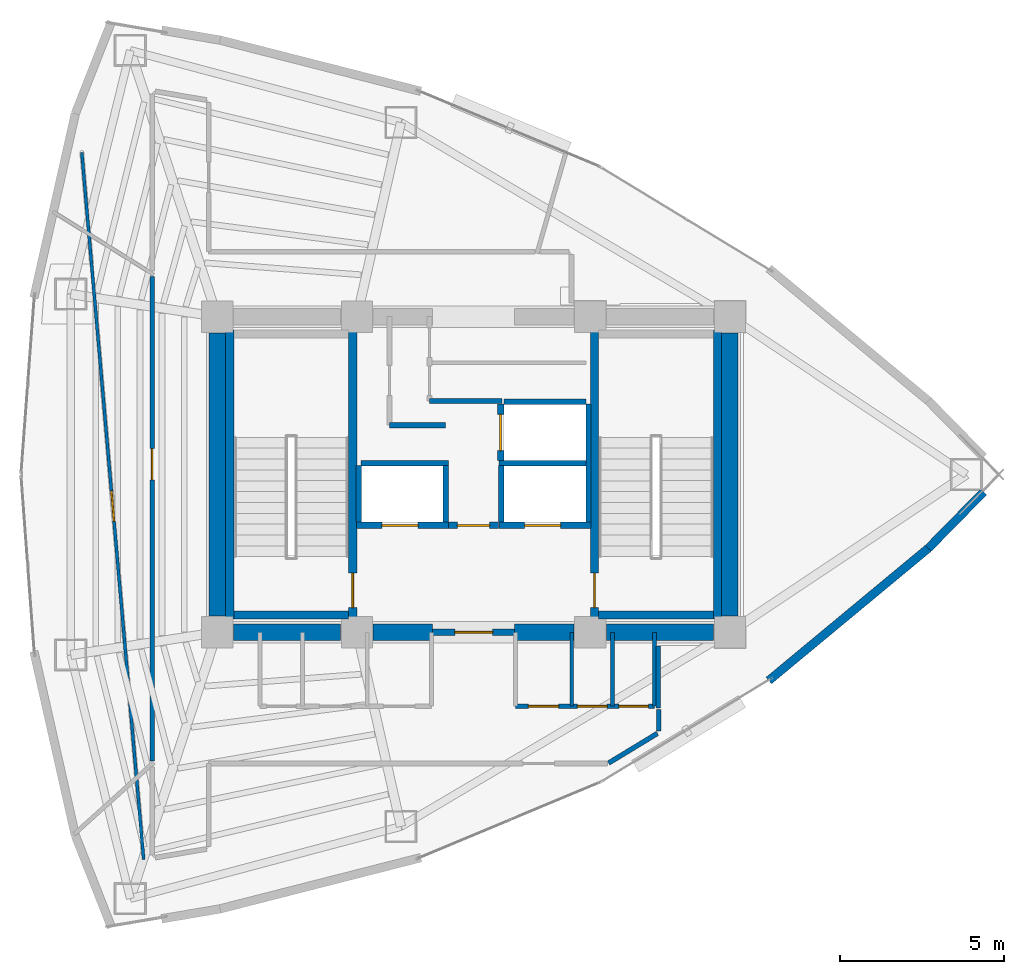
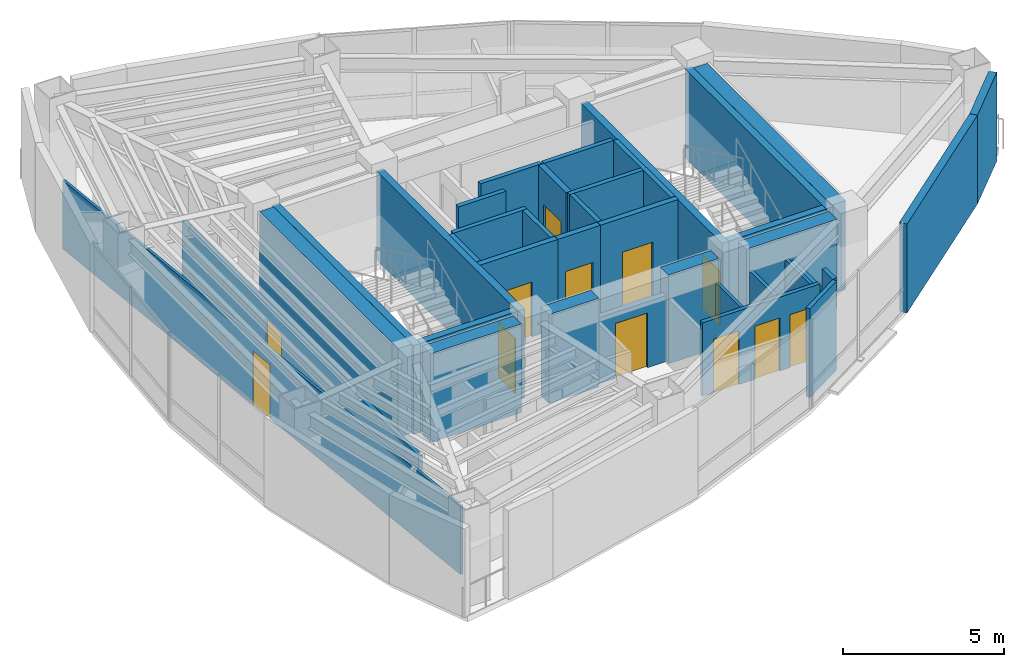
# One storey, part 12 of 16: 37 walls, 12 doors, 12 openings.
"""IFC4 building model written with IfcOpenShell, lengths in metres."""

import ifcopenshell
import ifcopenshell.guid

model = None  # the IFC model being written
_history = None  # IfcOwnerHistory: only IFC2X3 demands one
_inside = {}  # id of a spatial element -> (the spatial element, [elements in it])
_under = {}  # id of a project, library or spatial element -> (it, [spatial elements below it])
_declared = {}  # id of a project -> (the project, [libraries it declares])
_typed = {}  # id of a type object -> (the type object, [elements of that type])
_made_of = {}  # id of a material, layer set ... -> (it, [elements and type objects made of it])


def new_model(schema):
    """Start an empty IFC model of exactly this schema.

    Asked for "IFC4X3", IfcOpenShell would pick the latest addendum, in which some entities
    have other attributes; the version numbers below select the first issue.
    IFC2X3 requires an IfcOwnerHistory on every rooted entity: one is made here for all.
    """
    global model, _history
    if schema == "IFC4X3":
        model = ifcopenshell.file(schema_version=(4, 3, 0, 0))
    else:
        model = ifcopenshell.file(schema=schema)
    _inside.clear()
    _under.clear()
    _declared.clear()
    _typed.clear()
    _made_of.clear()
    _history = None
    if model.schema == "IFC2X3":
        org = make("IfcOrganization", Name="unknown")
        user = make(
            "IfcPersonAndOrganization",
            ThePerson=make("IfcPerson", FamilyName="unknown"),
            TheOrganization=org,
        )
        app = make(
            "IfcApplication",
            ApplicationDeveloper=org,
            Version="unknown",
            ApplicationFullName="unknown",
            ApplicationIdentifier="unknown",
        )
        _history = make(
            "IfcOwnerHistory",
            OwningUser=user,
            OwningApplication=app,
            ChangeAction="ADDED",
            CreationDate=0,
        )
    return model


def make(cls, **values):
    """One entity of the class cls with the attributes given. An attribute that is None is left unset."""
    return model.create_entity(
        cls, **{name: value for name, value in values.items() if value is not None}
    )


def rooted(cls, **values):
    """An entity with a GlobalId (a new one), such as an element, a storey or a relation."""
    return make(cls, GlobalId=ifcopenshell.guid.new(), OwnerHistory=_history, **values)


def si_unit(unit_type, name, prefix=None):
    """IfcSIUnit, for example si_unit("LENGTHUNIT", "METRE", prefix="MILLI")."""
    return make("IfcSIUnit", UnitType=unit_type, Prefix=prefix, Name=name)


def assignment(units):
    """IfcUnitAssignment: the units of a project."""
    return None if units is None else make("IfcUnitAssignment", Units=units)


def point(xyz):
    """IfcCartesianPoint."""
    return None if xyz is None else make("IfcCartesianPoint", Coordinates=xyz)


def direction(xyz):
    """IfcDirection."""
    return None if xyz is None else make("IfcDirection", DirectionRatios=xyz)


def frame(location, z_axis=None, x_axis=None):
    """IfcAxis2Placement3D, a coordinate frame: its origin and axes. An axis left out is left unset."""
    return make(
        "IfcAxis2Placement3D",
        Location=point(location),
        Axis=direction(z_axis),
        RefDirection=direction(x_axis),
    )


def frame_2d(location, x_axis=None):
    """IfcAxis2Placement2D, a coordinate frame in the plane: its origin and x axis."""
    return make(
        "IfcAxis2Placement2D", Location=point(location), RefDirection=direction(x_axis)
    )


def origin():
    """The frame at (0, 0, 0) with its axes left unset."""
    return frame((0.0, 0.0, 0.0))


def place(relative_to, where):
    """IfcLocalPlacement: puts the frame where relative to a parent placement (None: the world)."""
    return make(
        "IfcLocalPlacement", PlacementRelTo=relative_to, RelativePlacement=where
    )


def context(
    kind, dimensions, precision=None, world=None, true_north=None, identifier=None
):
    """IfcGeometricRepresentationContext, for example the 3D "Model" context."""
    return make(
        "IfcGeometricRepresentationContext",
        ContextIdentifier=identifier,
        ContextType=kind,
        CoordinateSpaceDimension=dimensions,
        Precision=precision,
        WorldCoordinateSystem=world,
        TrueNorth=true_north,
    )


def subcontext(parent, identifier, kind, view, scale=None):
    """IfcGeometricRepresentationSubContext, for example "Body" below "Model"."""
    return make(
        "IfcGeometricRepresentationSubContext",
        ContextIdentifier=identifier,
        ContextType=kind,
        ParentContext=parent,
        TargetScale=scale,
        TargetView=view,
    )


def project(units=None, contexts=None):
    """IfcProject with its units and contexts."""
    return rooted(
        "IfcProject",
        Name="project",
        RepresentationContexts=contexts,
        UnitsInContext=assignment(units),
    )


def spatial(cls, under=None, at=None, **own):
    """A site, building, storey or space (cls), placed at a placement, below another one or the project."""
    s = rooted(cls, ObjectPlacement=at, **own)
    if under is not None:
        _under.setdefault(under.id(), (under, []))[1].append(s)
    return s


def profile(cls, at=None, kind="AREA", **sizes):
    """A parametric profile (cls). Its sizes go by their IFC names, for example OverallWidth=200.0."""
    return make(cls, ProfileType=kind, Position=at, **sizes)


def rectangle(**sizes):
    """IfcRectangleProfileDef."""
    return profile("IfcRectangleProfileDef", **sizes)


def extrude(swept, where, along, depth):
    """IfcExtrudedAreaSolid: the profile swept, set in the frame where, extruded along a direction by depth."""
    return make(
        "IfcExtrudedAreaSolid",
        SweptArea=swept,
        Position=where,
        ExtrudedDirection=direction(along),
        Depth=depth,
    )


def shape(context_of_items, identifier, shape_type, items):
    """IfcShapeRepresentation: the items that make up one representation, for example the "Body"."""
    return make(
        "IfcShapeRepresentation",
        ContextOfItems=context_of_items,
        RepresentationIdentifier=identifier,
        RepresentationType=shape_type,
        Items=items,
    )


def material(Name=None, Category=None):
    """IfcMaterial."""
    return make("IfcMaterial", Name=Name, Category=Category)


def layer(
    of_material, thickness, ventilated=None, Name=None, Category=None, Priority=None
):
    """IfcMaterialLayer: one layer of a wall or slab, of a material (None: an air gap)."""
    return make(
        "IfcMaterialLayer",
        Material=of_material,
        LayerThickness=thickness,
        IsVentilated=ventilated,
        Name=Name,
        Category=Category,
        Priority=Priority,
    )


def layer_set(layers, Name=None):
    """IfcMaterialLayerSet."""
    return make("IfcMaterialLayerSet", MaterialLayers=layers, LayerSetName=Name)


def made_of(thing, what):
    """Note that an element or type object is made of a material, layer set ...; save() writes the relation."""
    if what is not None:
        _made_of.setdefault(what.id(), (what, []))[1].append(thing)
    return thing


def type_object(cls, material=None, **own):
    """A type object (cls), such as IfcWallType, which elements share."""
    return made_of(rooted(cls, **own), material)


def element(
    cls,
    number,
    at=None,
    inside=None,
    cuts=None,
    type_object=None,
    material=None,
    context=None,
    identifier="Body",
    shape_type=None,
    held_by="IfcProductDefinitionShape",
    body=None,
    shapes=None,
    **own,
):
    """One element of the class cls, such as IfcWall. Its Tag is "e" and its number.

    at: its placement. inside: the storey or other place that contains it. cuts: it is an
    opening in that element (IfcRelVoidsElement). A single representation is given by context,
    identifier, shape_type and body (its items); several are given by shapes. held_by: the class
    of the entity that holds the representations. save() writes the other relations.
    """
    e = rooted(cls, Tag="e%d" % number, ObjectPlacement=at, **own)
    if body is not None:
        shapes = [shape(context, identifier, shape_type, body)]
    if shapes is not None:
        e.Representation = make(held_by, Representations=shapes)
    if inside is not None:
        _inside.setdefault(inside.id(), (inside, []))[1].append(e)
    if cuts is not None:
        rooted(
            "IfcRelVoidsElement", RelatingBuildingElement=cuts, RelatedOpeningElement=e
        )
    if type_object is not None:
        _typed.setdefault(type_object.id(), (type_object, []))[1].append(e)
    return made_of(e, material)


def fill(opening, filler):
    """IfcRelFillsElement: the door or window that sits in an opening."""
    return rooted(
        "IfcRelFillsElement",
        RelatingOpeningElement=opening,
        RelatedBuildingElement=filler,
    )


def aggregate(whole, parts):
    """IfcRelAggregates: a whole, such as a stair, and the parts it consists of."""
    return rooted("IfcRelAggregates", RelatingObject=whole, RelatedObjects=parts)


def save(model, path):
    """Write the relations noted so far, then the file.

    IfcRelAggregates (storeys below a building ...), IfcRelContainedInSpatialStructure (elements
    in a storey), IfcRelDefinesByType, IfcRelAssociatesMaterial and IfcRelDeclares: one each for
    every whole, place, type object, material and project.
    """
    for whole, parts in _under.values():
        aggregate(whole, parts)
    for where, things in _inside.values():
        rooted(
            "IfcRelContainedInSpatialStructure",
            RelatedElements=things,
            RelatingStructure=where,
        )
    for kind, things in _typed.values():
        rooted("IfcRelDefinesByType", RelatedObjects=things, RelatingType=kind)
    for what, things in _made_of.values():
        rooted("IfcRelAssociatesMaterial", RelatedObjects=things, RelatingMaterial=what)
    for by, libraries in _declared.values():
        rooted("IfcRelDeclares", RelatingContext=by, RelatedDefinitions=libraries)
    model.write(path)


model = new_model("IFC4")

# Units and contexts
model_context = context("Model", 3, precision=1e-05, world=origin(), true_north=direction((0.0, 1.0)))
body_context = subcontext(model_context, "Body", "Model", "MODEL_VIEW")
ifc_project = project(units=[si_unit("LENGTHUNIT", "METRE"), si_unit("AREAUNIT", "SQUARE_METRE"), si_unit("VOLUMEUNIT", "CUBIC_METRE"), si_unit("PLANEANGLEUNIT", "RADIAN"), si_unit("MASSUNIT", "GRAM", prefix="KILO")], contexts=[model_context])

# Site, building, storey
site_placement = place(None, origin())
site = spatial("IfcSite", under=ifc_project, at=site_placement, CompositionType="ELEMENT")
building_placement = place(site_placement, origin())
building = spatial("IfcBuilding", under=site, at=building_placement, Name="Menara Vayukalpa", CompositionType="ELEMENT")
storey_placement = place(building_placement, frame((0.0, 0.0, 210.1201171875)))
storey = spatial("IfcBuildingStorey", under=building, at=storey_placement, Name="L53", CompositionType="ELEMENT", Elevation=210.1201171875)

# Walls
ifc_material_1 = material(Name="Concrete C60/75", Category="concrete")
ifc_layer_1 = layer(ifc_material_1, 0.5)
ifc_layer_set_1 = layer_set([ifc_layer_1], Name="Concrete C60/75")
wall_type_1 = type_object("IfcWallType", Name="WAL-CW500", PredefinedType="SHEAR", material=ifc_layer_set_1)
wall_1_placement = place(storey_placement, frame((18.294921875, 17.199951171875, 0.0), z_axis=(0.0, 0.0, 1.0), x_axis=(1.0, 0.0, 0.0)))
element("IfcWall", 1, at=wall_1_placement, inside=storey, type_object=wall_type_1, Name="L53 Buttressed Core Shear Wall CWS1", PredefinedType="SHEAR", context=body_context, shape_type="SweptSolid", body=[
    extrude(rectangle(XDim=3.260009765625, YDim=0.5, at=frame_2d((1.6298828125, 0.0))), origin(), (0.0, 0.0, 1.0), 3.3798828125),
])
wall_2_placement = place(storey_placement, frame((22.544921875, 17.199951171875, 0.0), z_axis=(0.0, 0.0, 1.0), x_axis=(1.0, 0.0, 0.0)))
element("IfcWall", 2, at=wall_2_placement, inside=storey, type_object=wall_type_1, Name="L53 Buttressed Core Shear Wall CWS2", PredefinedType="SHEAR", context=body_context, shape_type="SweptSolid", body=[
    extrude(rectangle(XDim=1.80517578125, YDim=0.5, at=frame_2d((0.902587890625, 0.0))), origin(), (0.0, 0.0, 1.0), 3.3798828125),
])
wall_3_placement = place(storey_placement, frame((26.85009765625, 17.199951171875, 0.0), z_axis=(0.0, 0.0, 1.0), x_axis=(1.0, 0.0, 0.0)))
element("IfcWall", 3, at=wall_3_placement, inside=storey, type_object=wall_type_1, Name="L53 Buttressed Core Shear Wall CWS3", PredefinedType="SHEAR", context=body_context, shape_type="SweptSolid", body=[
    extrude(rectangle(XDim=1.804931640625, YDim=0.5, at=frame_2d((0.90234375, 0.0))), origin(), (0.0, 0.0, 1.0), 3.3798828125),
])
wall_4_placement = place(storey_placement, frame((29.64501953125, 17.199951171875, 0.0), z_axis=(0.0, 0.0, 1.0), x_axis=(1.0, 0.0, 0.0)))
element("IfcWall", 4, at=wall_4_placement, inside=storey, type_object=wall_type_1, Name="L53 Buttressed Core Shear Wall CWS4", PredefinedType="SHEAR", context=body_context, shape_type="SweptSolid", body=[
    extrude(rectangle(XDim=3.260009765625, YDim=0.5, at=frame_2d((1.6298828125, 0.0))), origin(), (0.0, 0.0, 1.0), 3.3798828125),
])
for number, where, z_axis, x_axis, name in (
    (5, (17.800048828125, 17.695068359375, 0.0), (0.0, 0.0, 1.0), (0.0, 1.0, 0.0), "L53 Buttressed Core Shear Wall CWW1"),
    (6, (33.39990234375, 17.695068359375, 0.0), (0.0, 0.0, 1.0), (0.0, 1.0, 0.0), "L53 Buttressed Core Shear Wall CWE1"),
):
    element("IfcWall", number, at=place(storey_placement, frame(where, z_axis=z_axis, x_axis=x_axis)), inside=storey, type_object=wall_type_1, Name=name, PredefinedType="SHEAR", context=body_context, shape_type="SweptSolid", body=[
        extrude(rectangle(XDim=8.60986328125, YDim=0.5, at=frame_2d((4.304931640625, 0.0))), origin(), (0.0, 0.0, 1.0), 3.3798828125),
    ])
ifc_material_2 = material(Name="Insulated Precast Concrete C40/50", Category="concrete")
ifc_layer_2 = layer(ifc_material_2, 0.260009765625)
ifc_layer_set_2 = layer_set([ifc_layer_2], Name="Insulated Precast Concrete C40/50")
wall_type_2 = type_object("IfcWallType", Name="WAL-EXT260", PredefinedType="PARTITIONING", material=ifc_layer_set_2)
wall_5_placement = place(storey_placement, frame((41.11669921875, 21.466552734375, 0.0), z_axis=(0.0, 0.0, 1.0), x_axis=(-0.700567481584, -0.7135861572, 0.0)))
element("IfcWall", 7, at=wall_5_placement, inside=storey, type_object=wall_type_2, Name="L53 Perimeter Terracotta Pier Wall 01", PredefinedType="PARTITIONING", context=body_context, shape_type="SweptSolid", body=[
    extrude(rectangle(XDim=2.400390625, YDim=0.260009765625, at=frame_2d((1.2001953125, 0.0))), origin(), (0.0, 0.0, 1.0), 3.3798828125),
])
wall_6_placement = place(storey_placement, frame((39.44384765625, 19.76171875, 0.0), z_axis=(0.0, 0.0, 1.0), x_axis=(-0.769765373155, -0.638326930571, 0.0)))
element("IfcWall", 8, at=wall_6_placement, inside=storey, type_object=wall_type_2, Name="L53 Perimeter Terracotta Pier Wall 18", PredefinedType="PARTITIONING", context=body_context, shape_type="SweptSolid", body=[
    extrude(rectangle(XDim=6.3154296875, YDim=0.260009765625, at=frame_2d((3.15771484375, 0.0))), origin(), (0.0, 0.0, 1.0), 3.3798828125),
])
ifc_material_3 = material(Name="Lightweight Concrete Blockwork C16/20", Category="masonry")
ifc_layer_3 = layer(ifc_material_3, 0.159912109375)
ifc_layer_set_3 = layer_set([ifc_layer_3], Name="Lightweight Concrete Blockwork C16/20")
wall_type_3 = type_object("IfcWallType", Name="WAL-FR150", PredefinedType="PARTITIONING", material=ifc_layer_set_3)
for number, where, z_axis, x_axis, name in (
    (9, (22.10498046875, 20.56005859375, 0.0), (0.0, 0.0, 1.0), (0.0, 1.0, 0.0), "L53 Interior Partition IW-L53-SHW-WW"),
    (10, (24.7548828125, 20.56005859375, 0.0), (0.0, 0.0, 1.0), (0.0, 1.0, 0.0), "L53 Interior Partition IW-L53-SHW-W1E"),
):
    element("IfcWall", number, at=place(storey_placement, frame(where, z_axis=z_axis, x_axis=x_axis)), inside=storey, type_object=wall_type_3, Name=name, PredefinedType="PARTITIONING", context=body_context, shape_type="SweptSolid", body=[
        extrude(rectangle(XDim=1.7099609375, YDim=0.159912109375, at=frame_2d((0.85498046875, 0.0))), origin(), (0.0, 0.0, 1.0), 3.3798828125),
    ])
wall_7_placement = place(storey_placement, frame((22.179931640625, 22.344970703125, 0.0), z_axis=(0.0, 0.0, 1.0), x_axis=(1.0, 0.0, 0.0)))
element("IfcWall", 11, at=wall_7_placement, inside=storey, type_object=wall_type_3, Name="L53 Interior Partition IW-L53-SHM-W12", PredefinedType="PARTITIONING", context=body_context, shape_type="SweptSolid", body=[
    extrude(rectangle(XDim=2.650146484375, YDim=0.159912109375, at=frame_2d((1.3251953125, 0.0))), origin(), (0.0, 0.0, 1.0), 3.3798828125),
])
wall_8_placement = place(storey_placement, frame((29.094970703125, 20.56005859375, 0.0), z_axis=(0.0, 0.0, 1.0), x_axis=(0.0, 1.0, 0.0)))
element("IfcWall", 12, at=wall_8_placement, inside=storey, type_object=wall_type_3, Name="L53 Interior Partition IW-L53-SHW-EE", PredefinedType="PARTITIONING", context=body_context, shape_type="SweptSolid", body=[
    extrude(rectangle(XDim=3.579833984375, YDim=0.159912109375, at=frame_2d((1.7900390625, 0.0))), origin(), (0.0, 0.0, 1.0), 3.3798828125),
])
wall_9_placement = place(storey_placement, frame((26.445068359375, 20.56005859375, 0.0), z_axis=(0.0, 0.0, 1.0), x_axis=(0.0, 1.0, 0.0)))
element("IfcWall", 13, at=wall_9_placement, inside=storey, type_object=wall_type_3, Name="L53 Interior Partition IW-L53-SHW-E1W", PredefinedType="PARTITIONING", context=body_context, shape_type="SweptSolid", body=[
    extrude(rectangle(XDim=1.7099609375, YDim=0.159912109375, at=frame_2d((0.85498046875, 0.0))), origin(), (0.0, 0.0, 1.0), 3.3798828125),
])
wall_10_placement = place(storey_placement, frame((26.3701171875, 22.344970703125, 0.0), z_axis=(0.0, 0.0, 1.0), x_axis=(1.0, 0.0, 0.0)))
element("IfcWall", 14, at=wall_10_placement, inside=storey, type_object=wall_type_3, Name="L53 Interior Partition IW-L53-SHM-E13", PredefinedType="PARTITIONING", context=body_context, shape_type="SweptSolid", body=[
    extrude(rectangle(XDim=2.64990234375, YDim=0.159912109375, at=frame_2d((1.324951171875, 0.0))), origin(), (0.0, 0.0, 1.0), 3.3798828125),
])
wall_11_placement = place(storey_placement, frame((26.530029296875, 24.215087890625, 0.0), z_axis=(0.0, 0.0, 1.0), x_axis=(1.0, 0.0, 0.0)))
element("IfcWall", 15, at=wall_11_placement, inside=storey, type_object=wall_type_3, Name="L53 Interior Partition IW-L53-SHM-E32", PredefinedType="PARTITIONING", context=body_context, shape_type="SweptSolid", body=[
    extrude(rectangle(XDim=2.489990234375, YDim=0.159912109375, at=frame_2d((1.2451171875, 0.0))), origin(), (0.0, 0.0, 1.0), 3.3798828125),
])
wall_12_placement = place(storey_placement, frame((23.0400390625, 23.5, 0.0), z_axis=(0.0, 0.0, 1.0), x_axis=(1.0, 0.0, 0.0)))
element("IfcWall", 16, at=wall_12_placement, inside=storey, type_object=wall_type_3, Name="L53 Interior Partition IW-L53-LV7WA", PredefinedType="PARTITIONING", context=body_context, shape_type="SweptSolid", body=[
    extrude(rectangle(XDim=1.699951171875, YDim=0.159912109375, at=frame_2d((0.85009765625, 0.0))), origin(), (0.0, 0.0, 1.0), 3.3798828125),
])
wall_13_placement = place(storey_placement, frame((24.260009765625, 24.239990234375, 0.0), z_axis=(0.0, 0.0, 1.0), x_axis=(1.0, 0.0, 0.0)))
element("IfcWall", 17, at=wall_13_placement, inside=storey, type_object=wall_type_3, Name="L53 Interior Partition IW-L53-LV7EA", PredefinedType="PARTITIONING", context=body_context, shape_type="SweptSolid", body=[
    extrude(rectangle(XDim=2.199951171875, YDim=0.159912109375, at=frame_2d((1.10009765625, 0.0))), origin(), (0.0, 0.0, 1.0), 3.3798828125),
])

# Wall, opening, door
ifc_material_4 = material(Name="Lightweight Concrete Blockwork C16/20", Category="masonry")
ifc_layer_4 = layer(ifc_material_4, 0.199951171875)
ifc_layer_set_4 = layer_set([ifc_layer_4], Name="Lightweight Concrete Blockwork C16/20")
wall_type_4 = type_object("IfcWallType", Name="WAL-FR200", PredefinedType="PARTITIONING", material=ifc_layer_set_4)
wall_14_placement = place(storey_placement, frame((24.35009765625, 17.199951171875, 0.0), z_axis=(0.0, 0.0, 1.0), x_axis=(1.0, 0.0, 0.0)))
wall_14 = element("IfcWall", 18, at=wall_14_placement, inside=storey, type_object=wall_type_4, Name="L53 Interior Partition IW-L53-FFLS", PredefinedType="PARTITIONING", context=body_context, shape_type="SweptSolid", body=[
    extrude(rectangle(XDim=2.5, YDim=0.199951171875, at=frame_2d((1.25, 0.0))), origin(), (0.0, 0.0, 1.0), 2.509765625),
])
opening_1_placement = place(wall_14_placement, frame((0.679931640625, 0.0, 0.0)))
opening_1 = element("IfcOpeningElement", 19, at=opening_1_placement, cuts=wall_14, Name="Opening ID2", PredefinedType="OPENING", context=body_context, shape_type="SweptSolid", body=[
    extrude(rectangle(XDim=1.14990234375, YDim=2.080078125, at=frame_2d((0.574951171875, 1.0400390625))), frame((0.0, 0.10986328125, 0.0), z_axis=(0.0, -1.0, 0.0), x_axis=(1.0, 0.0, 0.0)), (0.0, 0.0, 1.0), 0.219970703125),
])
ifc_material_5 = material(Name="Fire-Rated Powder-Coated Steel Door", Category="steel")
door_type_1 = type_object("IfcDoorType", Name="DR-FD60W", OperationType="NOTDEFINED", PredefinedType="DOOR", material=ifc_material_5)
door_1_placement = place(opening_1_placement, origin())
door_1 = element("IfcDoor", 20, at=door_1_placement, inside=storey, type_object=door_type_1, Name="L53 Interior Door DR-L53-FFLS", OperationType="SINGLE_SWING_RIGHT", OverallHeight=2.080078125, OverallWidth=1.14990234375, PredefinedType="DOOR", context=body_context, shape_type="SweptSolid", body=[
    extrude(rectangle(XDim=1.14990234375, YDim=2.080078125, at=frame_2d((0.574951171875, 1.0400390625))), frame((0.0, 0.02490234375, 0.0), z_axis=(0.0, -1.0, 0.0), x_axis=(1.0, 0.0, 0.0)), (0.0, 0.0, 1.0), 0.050048828125),
])
fill(opening_1, door_1)

wall_15_placement = place(storey_placement, frame((24.840087890625, 20.449951171875, 0.0), z_axis=(0.0, 0.0, 1.0), x_axis=(1.0, 0.0, 0.0)))
wall_15 = element("IfcWall", 21, at=wall_15_placement, inside=storey, type_object=wall_type_4, Name="L53 Interior Partition IW-L53-FFLN", PredefinedType="PARTITIONING", context=body_context, shape_type="SweptSolid", body=[
    extrude(rectangle(XDim=1.52001953125, YDim=0.199951171875, at=frame_2d((0.760009765625, 0.0))), origin(), (0.0, 0.0, 1.0), 3.3798828125),
])
opening_2_placement = place(wall_15_placement, frame((0.27001953125, 0.0, 0.0)))
opening_2 = element("IfcOpeningElement", 22, at=opening_2_placement, cuts=wall_15, Name="Opening ID3", PredefinedType="OPENING", context=body_context, shape_type="SweptSolid", body=[
    extrude(rectangle(XDim=0.97998046875, YDim=2.06005859375, at=frame_2d((0.489990234375, 1.030029296875))), frame((0.0, 0.10986328125, 0.0), z_axis=(0.0, -1.0, 0.0), x_axis=(1.0, 0.0, 0.0)), (0.0, 0.0, 1.0), 0.219970703125),
])
ifc_material_6 = material(Name="Fire-Rated Powder-Coated Steel Door", Category="steel")
door_type_2 = type_object("IfcDoorType", Name="DR-FD60", OperationType="NOTDEFINED", PredefinedType="DOOR", material=ifc_material_6)
door_2_placement = place(opening_2_placement, origin())
door_2 = element("IfcDoor", 23, at=door_2_placement, inside=storey, type_object=door_type_2, Name="L53 Interior Door DR-L53-FFLN", OperationType="SINGLE_SWING_LEFT", OverallHeight=2.06005859375, OverallWidth=0.97998046875, PredefinedType="DOOR", context=body_context, shape_type="SweptSolid", body=[
    extrude(rectangle(XDim=0.97998046875, YDim=2.06005859375, at=frame_2d((0.489990234375, 1.030029296875))), frame((0.0, 0.02490234375, 0.0), z_axis=(0.0, -1.0, 0.0), x_axis=(1.0, 0.0, 0.0)), (0.0, 0.0, 1.0), 0.050048828125),
])
fill(opening_2, door_2)

wall_16_placement = place(storey_placement, frame((22.030029296875, 20.449951171875, 0.0), z_axis=(0.0, 0.0, 1.0), x_axis=(1.0, 0.0, 0.0)))
wall_16 = element("IfcWall", 24, at=wall_16_placement, inside=storey, type_object=wall_type_4, Name="L53 Interior Partition IW-L53-SH-W1", PredefinedType="PARTITIONING", context=body_context, shape_type="SweptSolid", body=[
    extrude(rectangle(XDim=2.800048828125, YDim=0.199951171875, at=frame_2d((1.39990234375, 0.0))), origin(), (0.0, 0.0, 1.0), 3.3798828125),
])
opening_3_placement = place(wall_16_placement, frame((0.780029296875, 0.0, 0.0)))
opening_3 = element("IfcOpeningElement", 25, at=opening_3_placement, cuts=wall_16, Name="Opening LD1", PredefinedType="OPENING", context=body_context, shape_type="SweptSolid", body=[
    extrude(rectangle(XDim=1.10009765625, YDim=2.080078125, at=frame_2d((0.550048828125, 1.0400390625))), frame((0.0, 0.10986328125, 0.0), z_axis=(0.0, -1.0, 0.0), x_axis=(1.0, 0.0, 0.0)), (0.0, 0.0, 1.0), 0.219970703125),
])
ifc_material_7 = material(Name="Brushed Stainless Steel 316 Lift Door", Category="steel")
door_type_3 = type_object("IfcDoorType", Name="DR-LD110", OperationType="NOTDEFINED", PredefinedType="DOOR", material=ifc_material_7)
door_3_placement = place(opening_3_placement, origin())
door_3 = element("IfcDoor", 26, at=door_3_placement, inside=storey, type_object=door_type_3, Name="L53 Interior Door DR-L53-LD-W1", OperationType="DOUBLE_DOOR_SLIDING", OverallHeight=2.080078125, OverallWidth=1.10009765625, PredefinedType="DOOR", context=body_context, shape_type="SweptSolid", body=[
    extrude(rectangle(XDim=1.10009765625, YDim=2.080078125, at=frame_2d((0.550048828125, 1.0400390625))), frame((0.0, 0.02490234375, 0.0), z_axis=(0.0, -1.0, 0.0), x_axis=(1.0, 0.0, 0.0)), (0.0, 0.0, 1.0), 0.050048828125),
])
fill(opening_3, door_3)

wall_17_placement = place(storey_placement, frame((26.3701171875, 20.449951171875, 0.0), z_axis=(0.0, 0.0, 1.0), x_axis=(1.0, 0.0, 0.0)))
wall_17 = element("IfcWall", 27, at=wall_17_placement, inside=storey, type_object=wall_type_4, Name="L53 Interior Partition IW-L53-SH-E1", PredefinedType="PARTITIONING", context=body_context, shape_type="SweptSolid", body=[
    extrude(rectangle(XDim=2.7998046875, YDim=0.199951171875, at=frame_2d((1.39990234375, 0.0))), origin(), (0.0, 0.0, 1.0), 3.3798828125),
])
opening_4_placement = place(wall_17_placement, frame((0.780029296875, 0.0, 0.0)))
opening_4 = element("IfcOpeningElement", 28, at=opening_4_placement, cuts=wall_17, Name="Opening LD1", PredefinedType="OPENING", context=body_context, shape_type="SweptSolid", body=[
    extrude(rectangle(XDim=1.10009765625, YDim=2.080078125, at=frame_2d((0.550048828125, 1.0400390625))), frame((0.0, 0.10986328125, 0.0), z_axis=(0.0, -1.0, 0.0), x_axis=(1.0, 0.0, 0.0)), (0.0, 0.0, 1.0), 0.219970703125),
])
door_4_placement = place(opening_4_placement, origin())
door_4 = element("IfcDoor", 29, at=door_4_placement, inside=storey, type_object=door_type_3, Name="L53 Interior Door DR-L53-LD-E1", OperationType="DOUBLE_DOOR_SLIDING", OverallHeight=2.080078125, OverallWidth=1.10009765625, PredefinedType="DOOR", context=body_context, shape_type="SweptSolid", body=[
    extrude(rectangle(XDim=1.10009765625, YDim=2.080078125, at=frame_2d((0.550048828125, 1.0400390625))), frame((0.0, 0.02490234375, 0.0), z_axis=(0.0, -1.0, 0.0), x_axis=(1.0, 0.0, 0.0)), (0.0, 0.0, 1.0), 0.050048828125),
])
fill(opening_4, door_4)

wall_18_placement = place(storey_placement, frame((26.419921875, 22.419921875, 0.0), z_axis=(0.0, 0.0, 1.0), x_axis=(0.0, 1.0, 0.0)))
wall_18 = element("IfcWall", 30, at=wall_18_placement, inside=storey, type_object=wall_type_4, Name="L53 Interior Partition IW-L53-SH-E3", PredefinedType="PARTITIONING", context=body_context, shape_type="SweptSolid", body=[
    extrude(rectangle(XDim=1.719970703125, YDim=0.199951171875, at=frame_2d((0.85986328125, 0.0))), origin(), (0.0, 0.0, 1.0), 3.3798828125),
])
opening_5_placement = place(wall_18_placement, frame((0.31005859375, 0.0, 0.0)))
opening_5 = element("IfcOpeningElement", 31, at=opening_5_placement, cuts=wall_18, Name="Opening LD1", PredefinedType="OPENING", context=body_context, shape_type="SweptSolid", body=[
    extrude(rectangle(XDim=1.10009765625, YDim=2.080078125, at=frame_2d((0.550048828125, 1.0400390625))), frame((0.0, 0.10986328125, 0.0), z_axis=(0.0, -1.0, 0.0), x_axis=(1.0, 0.0, 0.0)), (0.0, 0.0, 1.0), 0.219970703125),
])
door_5_placement = place(opening_5_placement, origin())
door_5 = element("IfcDoor", 32, at=door_5_placement, inside=storey, type_object=door_type_3, Name="L53 Interior Door DR-L53-LD-E3", OperationType="DOUBLE_DOOR_SLIDING", OverallHeight=2.080078125, OverallWidth=1.10009765625, PredefinedType="DOOR", context=body_context, shape_type="SweptSolid", body=[
    extrude(rectangle(XDim=1.10009765625, YDim=2.080078125, at=frame_2d((0.550048828125, 1.0400390625))), frame((0.0, 0.02490234375, 0.0), z_axis=(0.0, -1.0, 0.0), x_axis=(1.0, 0.0, 0.0)), (0.0, 0.0, 1.0), 0.050048828125),
])
fill(opening_5, door_5)

ifc_material_8 = material(Name="Glazed Demountable Office Partition", Category="glass")
ifc_layer_5 = layer(ifc_material_8, 0.094970703125)
ifc_layer_set_5 = layer_set([ifc_layer_5], Name="Glazed Demountable Office Partition")
wall_type_5 = type_object("IfcWallType", Name="WAL-PT100", PredefinedType="PARTITIONING", material=ifc_layer_set_5)
wall_19_placement = place(storey_placement, frame((13.6796875, 31.794921875, 0.0), z_axis=(0.0, 0.0, 1.0), x_axis=(0.087160919272, -0.996194245191, 0.0)))
wall_19 = element("IfcWall", 33, at=wall_19_placement, inside=storey, type_object=wall_type_5, Name="L53 Interior Partition IW-L53-RDIV04", PredefinedType="PARTITIONING", context=body_context, shape_type="SweptSolid", body=[
    extrude(rectangle(XDim=21.59326171875, YDim=0.094970703125, at=frame_2d((10.796630859375, 0.0))), origin(), (0.0, 0.0, 1.0), 2.60986328125),
])
opening_6_placement = place(wall_19_placement, frame((10.33642578125, 0.0, 0.0)))
opening_6 = element("IfcOpeningElement", 34, at=opening_6_placement, cuts=wall_19, Name="Opening ID6", PredefinedType="OPENING", context=body_context, shape_type="SweptSolid", body=[
    extrude(rectangle(XDim=0.919921875, YDim=2.050048828125, at=frame_2d((0.4599609375, 1.02490234375))), frame((0.0, 0.057373046875, 0.0), z_axis=(0.0, -1.0, 0.0), x_axis=(1.0, 0.0, 0.0)), (0.0, 0.0, 1.0), 0.114990234375),
])
ifc_material_9 = material(Name="Acoustic Hardwood Veneer Timber Door", Category="wood")
door_type_4 = type_object("IfcDoorType", Name="DR-INT92", OperationType="NOTDEFINED", PredefinedType="DOOR", material=ifc_material_9)
door_6_placement = place(opening_6_placement, origin())
door_6 = element("IfcDoor", 35, at=door_6_placement, inside=storey, type_object=door_type_4, Name="L53 Interior Door DR-L53-STE01", OperationType="SINGLE_SWING_RIGHT", OverallHeight=2.050048828125, OverallWidth=0.919921875, PredefinedType="DOOR", context=body_context, shape_type="SweptSolid", body=[
    extrude(rectangle(XDim=0.919921875, YDim=2.050048828125, at=frame_2d((0.4599609375, 1.02490234375))), frame((0.0, 0.02490234375, 0.0), z_axis=(0.0, -1.0, 0.0), x_axis=(1.0, 0.0, 0.0)), (0.0, 0.0, 1.0), 0.050048828125),
])
fill(opening_6, door_6)

# Walls
ifc_material_10 = material(Name="Acoustic Mineral Stud Partition", Category="masonry")
ifc_layer_6 = layer(ifc_material_10, 0.110107421875)
ifc_layer_set_6 = layer_set([ifc_layer_6], Name="Acoustic Mineral Stud Partition")
wall_type_6 = type_object("IfcWallType", Name="WAL-PT110", PredefinedType="PARTITIONING", material=ifc_layer_set_6)
wall_20_placement = place(storey_placement, frame((28.590087890625, 14.949951171875, 0.0), z_axis=(0.0, 0.0, 1.0), x_axis=(0.0, 1.0, 0.0)))
element("IfcWall", 36, at=wall_20_placement, inside=storey, type_object=wall_type_6, Name="L53 Interior Partition IW-L53-SVCD-06", PredefinedType="PARTITIONING", context=body_context, shape_type="SweptSolid", body=[
    extrude(rectangle(XDim=2.25, YDim=0.110107421875, at=frame_2d((1.125, 0.0))), origin(), (0.0, 0.0, 1.0), 2.509765625),
])
ifc_material_11 = material(Name="Gypsum Drywall Steel Stud Assembly", Category="steel")
ifc_layer_7 = layer(ifc_material_11, 0.125)
ifc_layer_set_7 = layer_set([ifc_layer_7], Name="Gypsum Drywall Steel Stud Assembly")
wall_type_7 = type_object("IfcWallType", Name="WAL-PT125", PredefinedType="PARTITIONING", material=ifc_layer_set_7)
for number, where, z_axis, x_axis, name in (
    (37, (29.830078125, 14.949951171875, 0.0), (0.0, 0.0, 1.0), (0.0, 1.0, 0.0), "L53 Interior Partition IW-L53-SVCD-07"),
    (38, (31.10009765625, 14.949951171875, 0.0), (0.0, 0.0, 1.0), (0.0, 1.0, 0.0), "L53 Interior Partition IW-L53-SVCD-08"),
):
    element("IfcWall", number, at=place(storey_placement, frame(where, z_axis=z_axis, x_axis=x_axis)), inside=storey, type_object=wall_type_7, Name=name, PredefinedType="PARTITIONING", context=body_context, shape_type="SweptSolid", body=[
        extrude(rectangle(XDim=2.25, YDim=0.125, at=frame_2d((1.125, 0.0))), origin(), (0.0, 0.0, 1.0), 2.509765625),
    ])

# Wall, openings, doors
ifc_material_12 = material(Name="Gypsum Drywall Acoustic Stud Assembly", Category="masonry")
ifc_layer_8 = layer(ifc_material_12, 0.14501953125)
ifc_layer_set_8 = layer_set([ifc_layer_8], Name="Gypsum Drywall Acoustic Stud Assembly")
wall_type_8 = type_object("IfcWallType", Name="WAL-PT150", PredefinedType="PARTITIONING", material=ifc_layer_set_8)
wall_21_placement = place(storey_placement, frame((26.8798828125, 14.949951171875, 0.0), z_axis=(0.0, 0.0, 1.0), x_axis=(1.0, 0.0, 0.0)))
wall_21 = element("IfcWall", 39, at=wall_21_placement, inside=storey, type_object=wall_type_8, Name="L53 Interior Partition IW-L53-SVCS-E", PredefinedType="PARTITIONING", context=body_context, shape_type="SweptSolid", body=[
    extrude(rectangle(XDim=4.22021484375, YDim=0.14501953125, at=frame_2d((2.110107421875, 0.0))), origin(), (0.0, 0.0, 1.0), 2.809814453125),
])
opening_7_placement = place(wall_21_placement, frame((0.389892578125, 0.0, 0.0)))
opening_7 = element("IfcOpeningElement", 40, at=opening_7_placement, cuts=wall_21, Name="Opening ID6", PredefinedType="OPENING", context=body_context, shape_type="SweptSolid", body=[
    extrude(rectangle(XDim=0.919921875, YDim=2.050048828125, at=frame_2d((0.4599609375, 1.02490234375))), frame((0.0, 0.08251953125, 0.0), z_axis=(0.0, -1.0, 0.0), x_axis=(1.0, 0.0, 0.0)), (0.0, 0.0, 1.0), 0.1650390625),
])
opening_8_placement = place(wall_21_placement, frame((1.8798828125, 0.0, 0.0)))
opening_8 = element("IfcOpeningElement", 41, at=opening_8_placement, cuts=wall_21, Name="Opening ID7", PredefinedType="OPENING", context=body_context, shape_type="SweptSolid", body=[
    extrude(rectangle(XDim=0.89990234375, YDim=2.02001953125, at=frame_2d((0.449951171875, 1.010009765625))), frame((0.0, 0.08251953125, 0.0), z_axis=(0.0, -1.0, 0.0), x_axis=(1.0, 0.0, 0.0)), (0.0, 0.0, 1.0), 0.1650390625),
])
opening_9_placement = place(wall_21_placement, frame((3.139892578125, 0.0, 0.0)))
opening_9 = element("IfcOpeningElement", 42, at=opening_9_placement, cuts=wall_21, Name="Opening ID7", PredefinedType="OPENING", context=body_context, shape_type="SweptSolid", body=[
    extrude(rectangle(XDim=0.89990234375, YDim=2.02001953125, at=frame_2d((0.449951171875, 1.010009765625))), frame((0.0, 0.08251953125, 0.0), z_axis=(0.0, -1.0, 0.0), x_axis=(1.0, 0.0, 0.0)), (0.0, 0.0, 1.0), 0.1650390625),
])
door_7_placement = place(opening_7_placement, origin())
door_7 = element("IfcDoor", 43, at=door_7_placement, inside=storey, type_object=door_type_4, Name="L53 Interior Door DR-L53-KSV1", OperationType="SINGLE_SWING_RIGHT", OverallHeight=2.050048828125, OverallWidth=0.919921875, PredefinedType="DOOR", context=body_context, shape_type="SweptSolid", body=[
    extrude(rectangle(XDim=0.919921875, YDim=2.050048828125, at=frame_2d((0.4599609375, 1.02490234375))), frame((0.0, 0.02490234375, 0.0), z_axis=(0.0, -1.0, 0.0), x_axis=(1.0, 0.0, 0.0)), (0.0, 0.0, 1.0), 0.050048828125),
])
fill(opening_7, door_7)
ifc_material_13 = material(Name="Powder-Coated Steel Riser Access Door", Category="steel")
door_type_5 = type_object("IfcDoorType", Name="DR-RISER", OperationType="NOTDEFINED", PredefinedType="DOOR", material=ifc_material_13)
door_8_placement = place(opening_8_placement, origin())
door_8 = element("IfcDoor", 44, at=door_8_placement, inside=storey, type_object=door_type_5, Name="L53 Interior Door DR-L53-KSV2", OperationType="SINGLE_SWING_LEFT", OverallHeight=2.02001953125, OverallWidth=0.89990234375, PredefinedType="DOOR", context=body_context, shape_type="SweptSolid", body=[
    extrude(rectangle(XDim=0.89990234375, YDim=2.02001953125, at=frame_2d((0.449951171875, 1.010009765625))), frame((0.0, 0.02490234375, 0.0), z_axis=(0.0, -1.0, 0.0), x_axis=(1.0, 0.0, 0.0)), (0.0, 0.0, 1.0), 0.050048828125),
])
fill(opening_8, door_8)
door_9_placement = place(opening_9_placement, origin())
door_9 = element("IfcDoor", 45, at=door_9_placement, inside=storey, type_object=door_type_5, Name="L53 Interior Door DR-L53-SMD", OperationType="SINGLE_SWING_RIGHT", OverallHeight=2.02001953125, OverallWidth=0.89990234375, PredefinedType="DOOR", context=body_context, shape_type="SweptSolid", body=[
    extrude(rectangle(XDim=0.89990234375, YDim=2.02001953125, at=frame_2d((0.449951171875, 1.010009765625))), frame((0.0, 0.02490234375, 0.0), z_axis=(0.0, -1.0, 0.0), x_axis=(1.0, 0.0, 0.0)), (0.0, 0.0, 1.0), 0.050048828125),
])
fill(opening_9, door_9)

# Walls
wall_22_placement = place(storey_placement, frame((29.708984375, 13.2216796875, 0.0), z_axis=(0.0, 0.0, 1.0), x_axis=(0.854635840942, 0.519227868451, 0.0)))
element("IfcWall", 46, at=wall_22_placement, inside=storey, type_object=wall_type_8, Name="L53 Interior Partition IW-L53-CRM03-5", PredefinedType="PARTITIONING", context=body_context, shape_type="SweptSolid", body=[
    extrude(rectangle(XDim=1.734619140625, YDim=0.14501953125, at=frame_2d((0.8671875, 0.0))), origin(), (0.0, 0.0, 1.0), 3.3798828125),
])
wall_23_placement = place(storey_placement, frame((31.22998046875, 14.190673828125, 0.0), z_axis=(0.0, 0.0, 1.0), x_axis=(0.0, 1.0, 0.0)))
element("IfcWall", 47, at=wall_23_placement, inside=storey, type_object=wall_type_8, Name="L53 Interior Partition IW-L53-CRM03-6", PredefinedType="PARTITIONING", context=body_context, shape_type="SweptSolid", body=[
    extrude(rectangle(XDim=0.659423828125, YDim=0.14501953125, at=frame_2d((0.32958984375, 0.0))), origin(), (0.0, 0.0, 1.0), 3.3798828125),
])
wall_24_placement = place(storey_placement, frame((31.219970703125, 14.888671875, 0.0), z_axis=(0.0, 0.0, 1.0), x_axis=(0.0, 1.0, 0.0)))
element("IfcWall", 48, at=wall_24_placement, inside=storey, type_object=wall_type_8, Name="L53 Interior Partition IW-L53-CRM03-7", PredefinedType="PARTITIONING", context=body_context, shape_type="SweptSolid", body=[
    extrude(rectangle(XDim=1.891357421875, YDim=0.14501953125, at=frame_2d((0.94580078125, 0.0))), origin(), (0.0, 0.0, 1.0), 2.509765625),
])

# Wall, opening, door
wall_25_placement = place(storey_placement, frame((15.820068359375, 28.02880859375, 0.0), z_axis=(0.0, 0.0, 1.0), x_axis=(0.0, -1.0, 0.0)))
wall_25 = element("IfcWall", 49, at=wall_25_placement, inside=storey, type_object=wall_type_8, Name="L53 Interior Partition IW-L53-CRM05-1", PredefinedType="PARTITIONING", context=body_context, shape_type="SweptSolid", body=[
    extrude(rectangle(XDim=14.74072265625, YDim=0.14501953125, at=frame_2d((7.370361328125, 0.0))), origin(), (0.0, 0.0, 1.0), 2.60986328125),
])
opening_10_placement = place(wall_25_placement, frame((5.241455078125, 0.0, 0.0)))
opening_10 = element("IfcOpeningElement", 50, at=opening_10_placement, cuts=wall_25, Name="Opening ID5", PredefinedType="OPENING", context=body_context, shape_type="SweptSolid", body=[
    extrude(rectangle(XDim=0.949951171875, YDim=2.06005859375, at=frame_2d((0.47509765625, 1.030029296875))), frame((0.0, 0.08251953125, 0.0), z_axis=(0.0, -1.0, 0.0), x_axis=(1.0, 0.0, 0.0)), (0.0, 0.0, 1.0), 0.1650390625),
])
ifc_material_14 = material(Name="Acoustic Hardwood Veneer Timber Door", Category="wood")
door_type_6 = type_object("IfcDoorType", Name="DR-INT95", OperationType="NOTDEFINED", PredefinedType="DOOR", material=ifc_material_14)
door_10_placement = place(opening_10_placement, origin())
door_10 = element("IfcDoor", 51, at=door_10_placement, inside=storey, type_object=door_type_6, Name="L53 Interior Door DR-L53-RM05", OperationType="SINGLE_SWING_LEFT", OverallHeight=2.06005859375, OverallWidth=0.949951171875, PredefinedType="DOOR", context=body_context, shape_type="SweptSolid", body=[
    extrude(rectangle(XDim=0.949951171875, YDim=2.06005859375, at=frame_2d((0.47509765625, 1.030029296875))), frame((0.0, 0.02490234375, 0.0), z_axis=(0.0, -1.0, 0.0), x_axis=(1.0, 0.0, 0.0)), (0.0, 0.0, 1.0), 0.050048828125),
])
fill(opening_10, door_10)

# Wall
ifc_material_15 = material(Name="Concrete C50/60", Category="concrete")
ifc_layer_9 = layer(ifc_material_15, 0.25)
ifc_layer_set_9 = layer_set([ifc_layer_9], Name="Concrete C50/60")
wall_type_9 = type_object("IfcWallType", Name="WAL-SW250", PredefinedType="SHEAR", material=ifc_layer_set_9)
wall_26_placement = place(storey_placement, frame((18.178955078125, 17.60009765625, 0.0), z_axis=(0.0, 0.0, 1.0), x_axis=(0.0, 1.0, 0.0)))
element("IfcWall", 52, at=wall_26_placement, inside=storey, type_object=wall_type_9, Name="L53 ST1 Structural Stair Shaft Wall W", PredefinedType="SHEAR", context=body_context, shape_type="SweptSolid", body=[
    extrude(rectangle(XDim=8.7998046875, YDim=0.25, at=frame_2d((4.39990234375, 0.0))), origin(), (0.0, 0.0, 1.0), 3.3798828125),
])

# Wall, opening, door
wall_27_placement = place(storey_placement, frame((21.925048828125, 17.60009765625, 0.0), z_axis=(0.0, 0.0, 1.0), x_axis=(0.0, 1.0, 0.0)))
wall_27 = element("IfcWall", 53, at=wall_27_placement, inside=storey, type_object=wall_type_9, Name="L53 ST1 Structural Stair Shaft Wall E", PredefinedType="SHEAR", context=body_context, shape_type="SweptSolid", body=[
    extrude(rectangle(XDim=8.7998046875, YDim=0.25, at=frame_2d((4.39990234375, 0.0))), origin(), (0.0, 0.0, 1.0), 3.3798828125),
])
opening_11_placement = place(wall_27_placement, frame((0.35009765625, 0.0, 0.0)))
opening_11 = element("IfcOpeningElement", 54, at=opening_11_placement, cuts=wall_27, Name="Opening ID1", PredefinedType="OPENING", context=body_context, shape_type="SweptSolid", body=[
    extrude(rectangle(XDim=1.050048828125, YDim=2.080078125, at=frame_2d((0.52490234375, 1.0400390625))), frame((0.0, 0.135009765625, 0.0), z_axis=(0.0, -1.0, 0.0), x_axis=(1.0, 0.0, 0.0)), (0.0, 0.0, 1.0), 0.27001953125),
])
ifc_material_16 = material(Name="Fire-Rated Powder-Coated Steel Door", Category="steel")
door_type_7 = type_object("IfcDoorType", Name="DR-FD120", OperationType="NOTDEFINED", PredefinedType="DOOR", material=ifc_material_16)
door_11_placement = place(opening_11_placement, origin())
door_11 = element("IfcDoor", 55, at=door_11_placement, inside=storey, type_object=door_type_7, Name="L53 Stair Exit Door DR-L53-ST1", OperationType="SINGLE_SWING_LEFT", OverallHeight=2.080078125, OverallWidth=1.050048828125, PredefinedType="DOOR", context=body_context, shape_type="SweptSolid", body=[
    extrude(rectangle(XDim=1.050048828125, YDim=2.080078125, at=frame_2d((0.52490234375, 1.0400390625))), frame((0.0, 0.02490234375, 0.0), z_axis=(0.0, -1.0, 0.0), x_axis=(1.0, 0.0, 0.0)), (0.0, 0.0, 1.0), 0.050048828125),
])
fill(opening_11, door_11)

# Wall
wall_28_placement = place(storey_placement, frame((18.303955078125, 17.72509765625, 0.0), z_axis=(0.0, 0.0, 1.0), x_axis=(1.0, 0.0, 0.0)))
element("IfcWall", 56, at=wall_28_placement, inside=storey, type_object=wall_type_9, Name="L53 ST1 Structural Stair Shaft Wall S", PredefinedType="SHEAR", context=body_context, shape_type="SweptSolid", body=[
    extrude(rectangle(XDim=3.49609375, YDim=0.25, at=frame_2d((1.748046875, 0.0))), origin(), (0.0, 0.0, 1.0), 3.3798828125),
])

# Wall, opening, door
wall_29_placement = place(storey_placement, frame((29.27490234375, 17.60009765625, 0.0), z_axis=(0.0, 0.0, 1.0), x_axis=(0.0, 1.0, 0.0)))
wall_29 = element("IfcWall", 57, at=wall_29_placement, inside=storey, type_object=wall_type_9, Name="L53 ST2 Structural Stair Shaft Wall W", PredefinedType="SHEAR", context=body_context, shape_type="SweptSolid", body=[
    extrude(rectangle(XDim=8.7998046875, YDim=0.25, at=frame_2d((4.39990234375, 0.0))), origin(), (0.0, 0.0, 1.0), 3.3798828125),
])
opening_12_placement = place(wall_29_placement, frame((0.35009765625, 0.0, 0.0)))
opening_12 = element("IfcOpeningElement", 58, at=opening_12_placement, cuts=wall_29, Name="Opening ID1", PredefinedType="OPENING", context=body_context, shape_type="SweptSolid", body=[
    extrude(rectangle(XDim=1.050048828125, YDim=2.080078125, at=frame_2d((0.52490234375, 1.0400390625))), frame((0.0, 0.135009765625, 0.0), z_axis=(0.0, -1.0, 0.0), x_axis=(1.0, 0.0, 0.0)), (0.0, 0.0, 1.0), 0.27001953125),
])
door_12_placement = place(opening_12_placement, origin())
door_12 = element("IfcDoor", 59, at=door_12_placement, inside=storey, type_object=door_type_7, Name="L53 Stair Exit Door DR-L53-ST2", OperationType="SINGLE_SWING_RIGHT", OverallHeight=2.080078125, OverallWidth=1.050048828125, PredefinedType="DOOR", context=body_context, shape_type="SweptSolid", body=[
    extrude(rectangle(XDim=1.050048828125, YDim=2.080078125, at=frame_2d((0.52490234375, 1.0400390625))), frame((0.0, 0.02490234375, 0.0), z_axis=(0.0, -1.0, 0.0), x_axis=(1.0, 0.0, 0.0)), (0.0, 0.0, 1.0), 0.050048828125),
])
fill(opening_12, door_12)

# Walls
wall_30_placement = place(storey_placement, frame((33.02099609375, 17.60009765625, 0.0), z_axis=(0.0, 0.0, 1.0), x_axis=(0.0, 1.0, 0.0)))
element("IfcWall", 60, at=wall_30_placement, inside=storey, type_object=wall_type_9, Name="L53 ST2 Structural Stair Shaft Wall E", PredefinedType="SHEAR", context=body_context, shape_type="SweptSolid", body=[
    extrude(rectangle(XDim=8.7998046875, YDim=0.25, at=frame_2d((4.39990234375, 0.0))), origin(), (0.0, 0.0, 1.0), 3.3798828125),
])
wall_31_placement = place(storey_placement, frame((29.39990234375, 17.72509765625, 0.0), z_axis=(0.0, 0.0, 1.0), x_axis=(1.0, 0.0, 0.0)))
element("IfcWall", 61, at=wall_31_placement, inside=storey, type_object=wall_type_9, Name="L53 ST2 Structural Stair Shaft Wall S", PredefinedType="SHEAR", context=body_context, shape_type="SweptSolid", body=[
    extrude(rectangle(XDim=3.49609375, YDim=0.25, at=frame_2d((1.748046875, 0.0))), origin(), (0.0, 0.0, 1.0), 3.3798828125),
])

save(model, "model.ifc")
